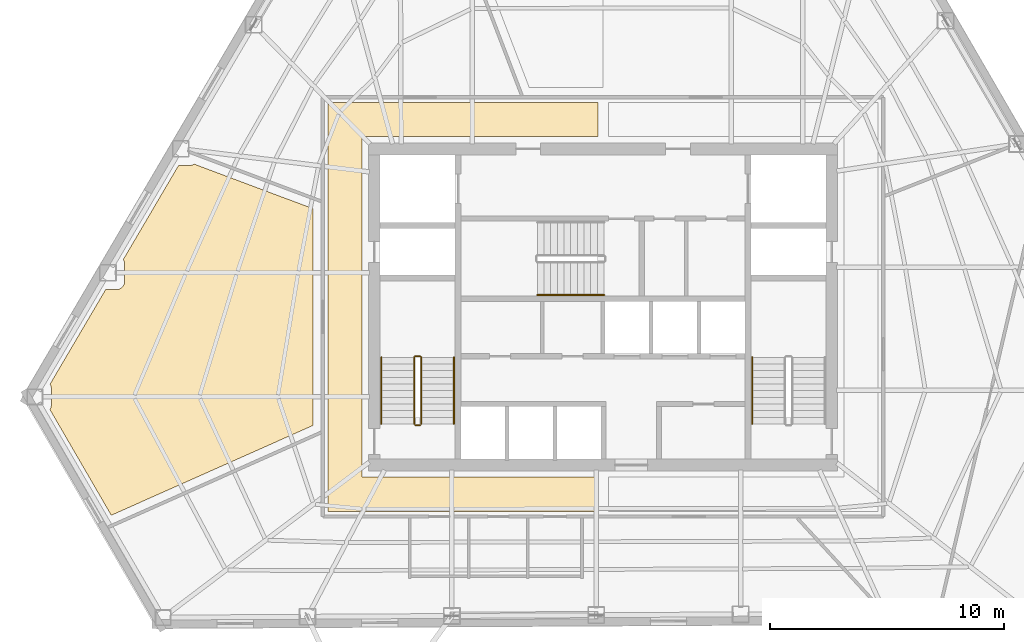
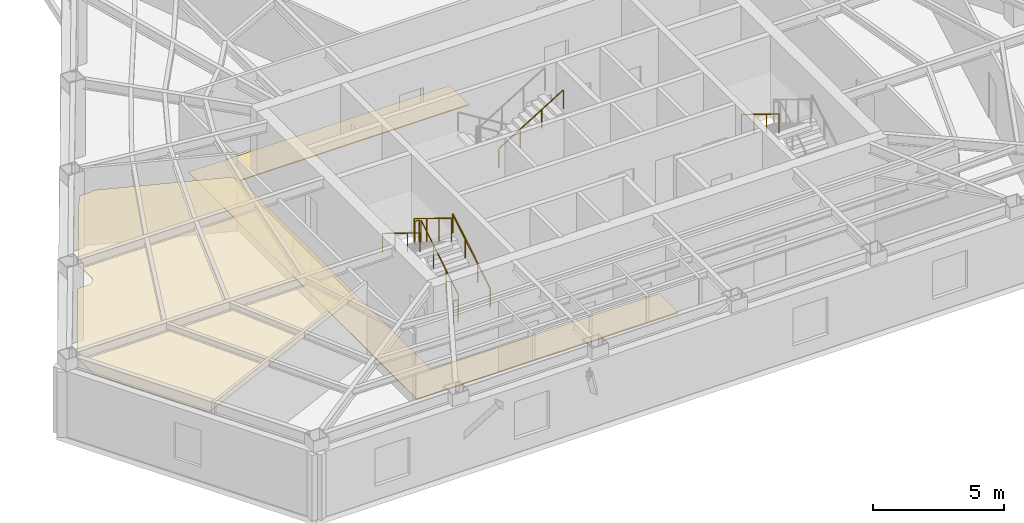
# One storey, part 9 of 11: 8 railings, 2 coverings.
"""IFC4 building model written with IfcOpenShell, lengths in metres."""

from ifc_helpers import new_model, si_unit, direction, frame, origin, origin_2d, place, context, subcontext, project, spatial, polyline, circle, outline, extrude, material, layer, layer_set, type_object, element, save


model = new_model("IFC4")

# Units and contexts
model_context = context("Model", 3, precision=1e-05, world=origin(), true_north=direction((0.0, 1.0)))
body_context = subcontext(model_context, "Body", "Model", "MODEL_VIEW")
ifc_project = project(units=[si_unit("LENGTHUNIT", "METRE"), si_unit("AREAUNIT", "SQUARE_METRE"), si_unit("VOLUMEUNIT", "CUBIC_METRE"), si_unit("PLANEANGLEUNIT", "RADIAN"), si_unit("MASSUNIT", "GRAM", prefix="KILO")], contexts=[model_context])

# Site, building, storey
site_placement = place(None, origin())
site = spatial("IfcSite", under=ifc_project, at=site_placement, CompositionType="ELEMENT")
building_placement = place(site_placement, origin())
building = spatial("IfcBuilding", under=site, at=building_placement, Name="Kavelnor Concourse Tower", CompositionType="ELEMENT")
storey_placement = place(building_placement, frame((0.0, 0.0, 139.39990234375)))
storey = spatial("IfcBuildingStorey", under=building, at=storey_placement, Name="L35", CompositionType="ELEMENT", Elevation=139.39990234375)

# Coverings
ifc_material_1 = material(Name="Mineral fibre acoustic ceiling tile")
ifc_layer_1 = layer(ifc_material_1, 0.0400390625, Name="Mineral fibre acoustic ceiling tile")
ifc_layer_set_1 = layer_set([ifc_layer_1], Name="Mineral fibre acoustic ceiling tile")
covering_type_1 = type_object("IfcCoveringType", Name="COV-CEILING-ACOUSTIC", PredefinedType="CEILING", material=ifc_layer_set_1)
covering_1_placement = place(storey_placement, frame((0.0, 0.0, 2.75)))
element("IfcCovering", 1, at=covering_1_placement, inside=storey, type_object=covering_type_1, Name="L35 Suspended Acoustic Ceiling", PredefinedType="CEILING", context=body_context, shape_type="SweptSolid", body=[
    extrude(outline(polyline([(14.373291015625, 11.718994140625), (14.391357421875, 11.749267578125), (14.406494140625, 11.78125), (14.41845703125, 11.814453125), (14.427001953125, 11.848876953125), (14.43212890625, 11.8837890625), (14.43359375, 11.910888671875), (14.43359375, 12.607421875), (14.43212890625, 12.634521484375), (14.427001953125, 12.66943359375), (14.41845703125, 12.70361328125), (14.406494140625, 12.737060546875), (14.391357421875, 12.76904296875), (14.37451171875, 12.797119140625), (16.748779296875, 16.837890625), (17.215087890625, 16.837890625), (17.2421875, 16.839111328125), (17.277099609375, 16.844482421875), (17.3115234375, 16.85302734375), (17.3447265625, 16.864990234375), (17.376708984375, 16.8798828125), (17.406982421875, 16.898193359375), (17.435546875, 16.919189453125), (17.461669921875, 16.943115234375), (17.485595703125, 16.96923828125), (17.506591796875, 16.997802734375), (17.52490234375, 17.028076171875), (17.539794921875, 17.06005859375), (17.5517578125, 17.09326171875), (17.560302734375, 17.127685546875), (17.565673828125, 17.16259765625), (17.56689453125, 17.189697265625), (17.56689453125, 17.92626953125), (17.565673828125, 17.953125), (17.560302734375, 17.98828125), (17.5517578125, 18.0224609375), (17.539794921875, 18.055908203125), (17.52490234375, 18.087890625), (17.506591796875, 18.1181640625), (17.50341796875, 18.122314453125), (19.862060546875, 22.13671875), (20.32861328125, 22.13671875), (20.355712890625, 22.13818359375), (20.390625, 22.143310546875), (20.425048828125, 22.15185546875), (20.458251953125, 22.163818359375), (20.490234375, 22.178955078125), (20.5205078125, 22.197021484375), (20.526611328125, 22.20166015625), (25.607421875, 20.298583984375), (25.607421875, 11.036865234375), (16.99169921875, 7.20068359375), (14.37158203125, 11.716796875), (14.373291015625, 11.718994140625)])), origin(), (0.0, 0.0, 1.0), 0.0400390625),
])
ifc_material_2 = material(Name="Honed bluestone and raised access floor finish", Category="masonry")
ifc_layer_2 = layer(ifc_material_2, 0.0400390625, Name="Honed bluestone and raised access floor finish")
ifc_layer_set_2 = layer_set([ifc_layer_2], Name="Honed bluestone and raised access floor finish")
covering_type_2 = type_object("IfcCoveringType", Name="COV-FLOOR-STONE", PredefinedType="FLOORING", material=ifc_layer_set_2)
covering_2_placement = place(storey_placement, frame((0.0, 0.0, 0.002197265625)))
element("IfcCovering", 2, at=covering_2_placement, inside=storey, type_object=covering_type_2, Name="L35 Honed Bluestone Floor Finish", PredefinedType="FLOORING", context=body_context, shape_type="SweptSolid", body=[
    extrude(outline(polyline([(26.25, 7.3701171875), (26.25, 24.830078125), (37.77490234375, 24.830078125), (37.77490234375, 23.3701171875), (27.7099609375, 23.3701171875), (27.7099609375, 8.830078125), (37.77490234375, 8.830078125), (37.77490234375, 7.3701171875), (26.25, 7.3701171875)])), origin(), (0.0, 0.0, 1.0), 0.039794921875),
])

# Railings
ifc_material_3 = material(Name="Steel Grade 350", Category="steel")
railing_type_1 = type_object("IfcRailingType", Name="RLG-GUARD-1100", PredefinedType="GUARDRAIL", material=ifc_material_3)
railing_1_placement = place(storey_placement, frame((30.22998046875, 11.10009765625, 0.175048828125)))
element("IfcRailing", 3, at=railing_1_placement, inside=storey, type_object=railing_type_1, Name="L35 ST1 stair guard 1", PredefinedType="GUARDRAIL", context=body_context, shape_type="SweptSolid", body=[
    extrude(circle(Radius=0.02392578125, at=origin_2d()), frame((0.0, 0.0, 1.076171875), z_axis=(0.0, 0.852159232446, 0.523282564737), x_axis=(-1.0, 0.0, 0.0)), (0.0, 0.0, 1.0), 3.34423828125),
    extrude(circle(Radius=0.02099609375, at=origin_2d()), origin(), (0.0, 0.0, 1.0), 1.052001953125),
    extrude(circle(Radius=0.02099609375, at=origin_2d()), frame((0.0, 0.949951171875, 0.583251953125)), (0.0, 0.0, 1.0), 1.052001953125),
    extrude(circle(Radius=0.02099609375, at=origin_2d()), frame((0.0, 1.89990234375, 1.166748046875)), (0.0, 0.0, 1.0), 1.052001953125),
    extrude(circle(Radius=0.02099609375, at=origin_2d()), frame((0.0, 2.849853515625, 1.75)), (0.0, 0.0, 1.0), 1.052001953125),
])
railing_2_placement = place(storey_placement, frame((30.179931640625, 14.0, 1.925048828125)))
element("IfcRailing", 4, at=railing_2_placement, inside=storey, type_object=railing_type_1, Name="L35 ST1 stair guard 2", PredefinedType="GUARDRAIL", context=body_context, shape_type="SweptSolid", body=[
    extrude(circle(Radius=0.02392578125, at=origin_2d()), frame((0.0, 0.0, 1.076171875), z_axis=(-1.0, 0.0, 0.0), x_axis=(0.0, -1.0, 0.0)), (0.0, 0.0, 1.0), 0.199951171875),
    extrude(circle(Radius=0.02099609375, at=origin_2d()), origin(), (0.0, 0.0, 1.0), 1.052001953125),
    extrude(circle(Radius=0.02099609375, at=origin_2d()), frame((-0.199951171875, 0.0, 0.0)), (0.0, 0.0, 1.0), 1.052001953125),
])
railing_3_placement = place(storey_placement, frame((29.929931640625, 13.949951171875, 2.10009765625)))
element("IfcRailing", 5, at=railing_3_placement, inside=storey, type_object=railing_type_1, Name="L35 ST1 stair guard 3", PredefinedType="GUARDRAIL", context=body_context, shape_type="SweptSolid", body=[
    extrude(circle(Radius=0.02392578125, at=origin_2d()), frame((0.0, 0.0, 1.076171875), z_axis=(0.0, -0.852159232446, 0.523282564737), x_axis=(1.0, 0.0, 0.0)), (0.0, 0.0, 1.0), 3.34423828125),
    extrude(circle(Radius=0.02099609375, at=origin_2d()), origin(), (0.0, 0.0, 1.0), 1.052001953125),
    extrude(circle(Radius=0.02099609375, at=origin_2d()), frame((0.0, -0.949951171875, 0.583251953125)), (0.0, 0.0, 1.0), 1.052001953125),
    extrude(circle(Radius=0.02099609375, at=origin_2d()), frame((0.0, -1.89990234375, 1.166748046875)), (0.0, 0.0, 1.0), 1.052001953125),
    extrude(circle(Radius=0.02099609375, at=origin_2d()), frame((0.0, -2.849853515625, 1.75)), (0.0, 0.0, 1.0), 1.052001953125),
])
railing_4_placement = place(storey_placement, frame((30.179931640625, 11.050048828125, 0.0)))
element("IfcRailing", 6, at=railing_4_placement, inside=storey, type_object=railing_type_1, Name="L35 ST1 stair guard 4", PredefinedType="GUARDRAIL", context=body_context, shape_type="SweptSolid", body=[
    extrude(circle(Radius=0.02392578125, at=origin_2d()), frame((0.0, 0.0, 1.076171875), z_axis=(-1.0, 0.0, 0.0), x_axis=(0.0, -1.0, 0.0)), (0.0, 0.0, 1.0), 0.199951171875),
    extrude(circle(Radius=0.02099609375, at=origin_2d()), origin(), (0.0, 0.0, 1.0), 1.052001953125),
    extrude(circle(Radius=0.02099609375, at=origin_2d()), frame((-0.199951171875, 0.0, 0.0)), (0.0, 0.0, 1.0), 1.052001953125),
])
railing_type_2 = type_object("IfcRailingType", Name="RLG-HANDRAIL-900", PredefinedType="HANDRAIL", material=ifc_material_3)
railing_5_placement = place(storey_placement, frame((31.6298828125, 11.10009765625, 0.175048828125)))
element("IfcRailing", 7, at=railing_5_placement, inside=storey, type_object=railing_type_2, Name="L35 ST1 stair handrail 1", PredefinedType="HANDRAIL", context=body_context, shape_type="SweptSolid", body=[
    extrude(circle(Radius=0.02392578125, at=origin_2d()), frame((0.0, 0.0, 0.8759765625), z_axis=(0.0, 0.852159232446, 0.523282564737), x_axis=(-1.0, 0.0, 0.0)), (0.0, 0.0, 1.0), 3.34423828125),
    extrude(circle(Radius=0.02099609375, at=origin_2d()), origin(), (0.0, 0.0, 1.0), 0.851806640625),
    extrude(circle(Radius=0.02099609375, at=origin_2d()), frame((0.0, 0.949951171875, 0.583251953125)), (0.0, 0.0, 1.0), 0.851806640625),
    extrude(circle(Radius=0.02099609375, at=origin_2d()), frame((0.0, 1.89990234375, 1.166748046875)), (0.0, 0.0, 1.0), 0.851806640625),
    extrude(circle(Radius=0.02099609375, at=origin_2d()), frame((0.0, 2.849853515625, 1.75)), (0.0, 0.0, 1.0), 0.851806640625),
])
for number, where, name in (
    (8, (28.530029296875, 13.949951171875, 2.10009765625), "L35 ST1 stair handrail 2"),
    (9, (44.3701171875, 13.949951171875, 2.10009765625), "L35 ST2 stair handrail 2"),
):
    element("IfcRailing", number, at=place(storey_placement, frame(where)), inside=storey, type_object=railing_type_2, Name=name, PredefinedType="HANDRAIL", context=body_context, shape_type="SweptSolid", body=[
        extrude(circle(Radius=0.02392578125, at=origin_2d()), frame((0.0, 0.0, 0.8759765625), z_axis=(0.0, -0.852159232446, 0.523282564737), x_axis=(1.0, 0.0, 0.0)), (0.0, 0.0, 1.0), 3.34423828125),
        extrude(circle(Radius=0.02099609375, at=origin_2d()), origin(), (0.0, 0.0, 1.0), 0.851806640625),
        extrude(circle(Radius=0.02099609375, at=origin_2d()), frame((0.0, -0.949951171875, 0.583251953125)), (0.0, 0.0, 1.0), 0.851806640625),
        extrude(circle(Radius=0.02099609375, at=origin_2d()), frame((0.0, -1.89990234375, 1.166748046875)), (0.0, 0.0, 1.0), 0.851806640625),
        extrude(circle(Radius=0.02099609375, at=origin_2d()), frame((0.0, -2.849853515625, 1.75)), (0.0, 0.0, 1.0), 0.851806640625),
    ])
railing_6_placement = place(storey_placement, frame((35.18994140625, 16.610107421875, 2.10009765625)))
element("IfcRailing", 10, at=railing_6_placement, inside=storey, type_object=railing_type_2, Name="L35 ST3 stair handrail 2", PredefinedType="HANDRAIL", context=body_context, shape_type="SweptSolid", body=[
    extrude(circle(Radius=0.02392578125, at=origin_2d()), frame((0.0, 0.0, 0.8759765625), z_axis=(0.852179220489, 0.0, 0.52325001306), x_axis=(0.0, 1.0, 0.0)), (0.0, 0.0, 1.0), 3.344482421875),
    extrude(circle(Radius=0.02099609375, at=origin_2d()), origin(), (0.0, 0.0, 1.0), 0.851806640625),
    extrude(circle(Radius=0.02099609375, at=origin_2d()), frame((0.949951171875, 0.0, 0.583251953125)), (0.0, 0.0, 1.0), 0.851806640625),
    extrude(circle(Radius=0.02099609375, at=origin_2d()), frame((1.900146484375, 0.0, 1.166748046875)), (0.0, 0.0, 1.0), 0.851806640625),
    extrude(circle(Radius=0.02099609375, at=origin_2d()), frame((2.85009765625, 0.0, 1.75)), (0.0, 0.0, 1.0), 0.851806640625),
])

save(model, "model.ifc")
